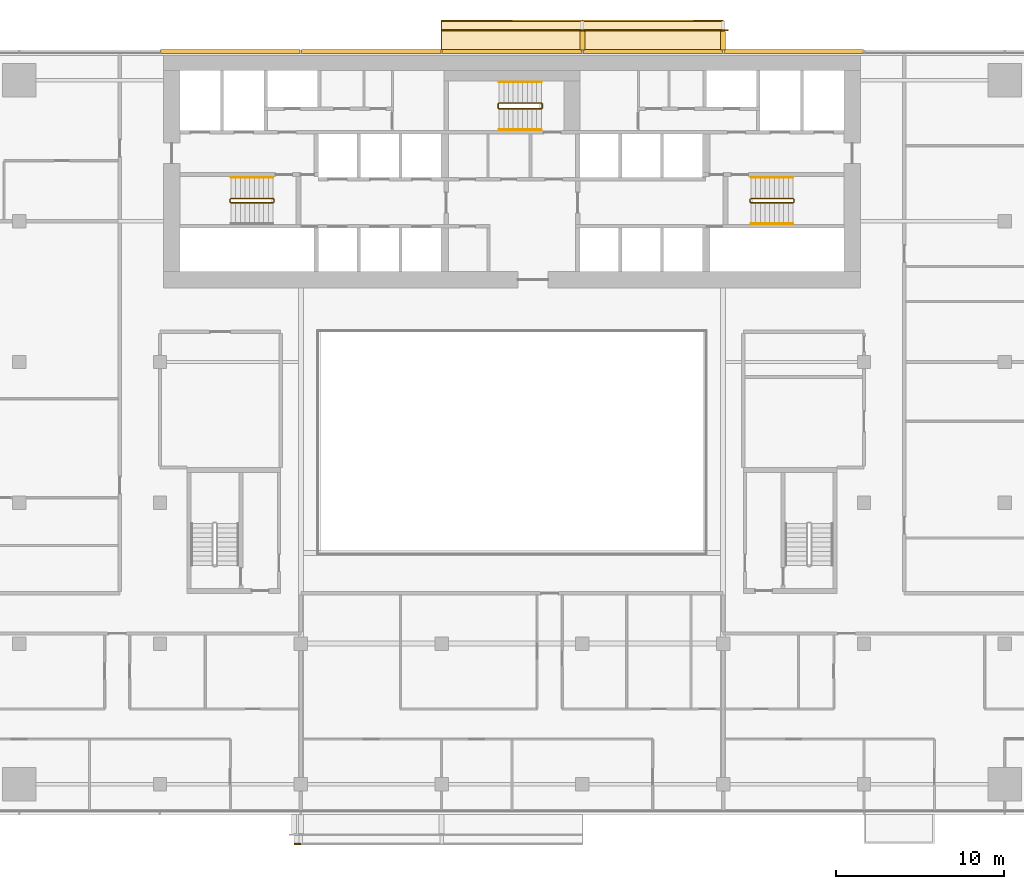
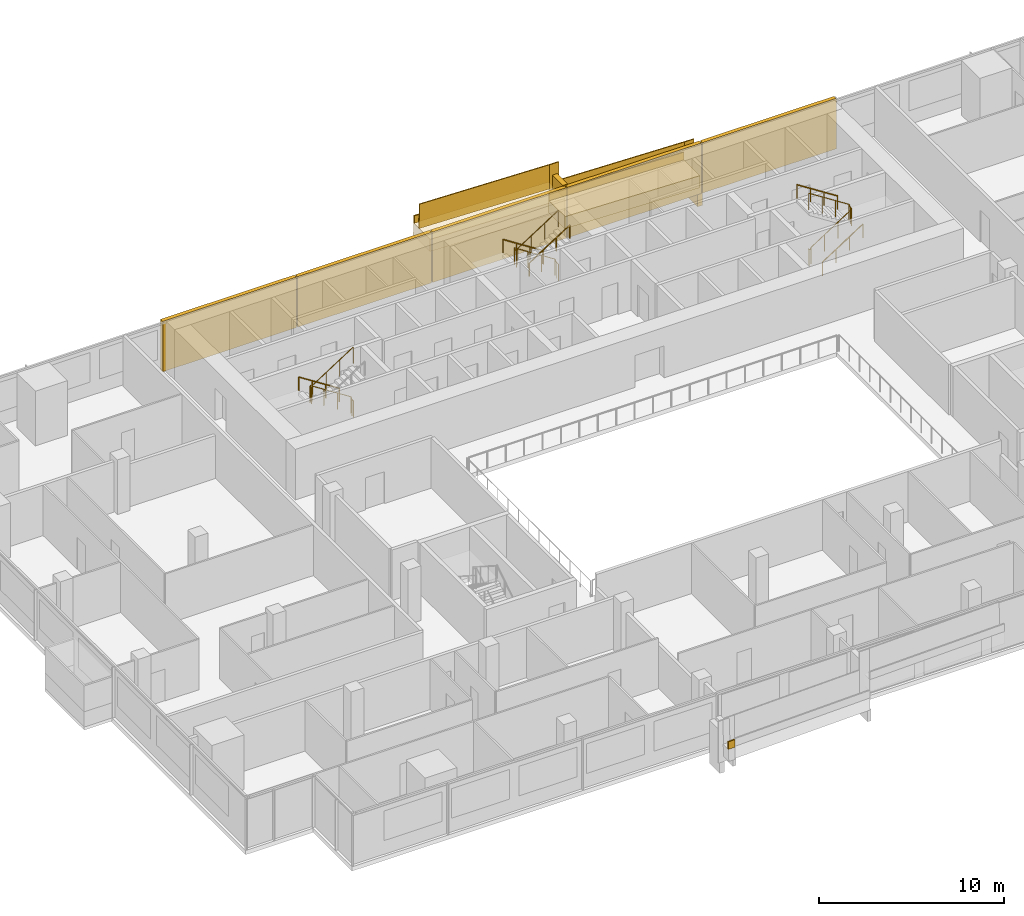
# One storey, part 26 of 26: 12 coverings, 12 railings.
"""IFC4 building model written with IfcOpenShell, lengths in metres."""

from ifc_helpers import new_model, si_unit, direction, frame, origin, origin_2d, place, context, subcontext, project, spatial, polyline, rectangle, circle, outline, extrude, material, layer, layer_set, type_object, element, save


model = new_model("IFC4")

# Units and contexts
model_context = context("Model", 3, precision=1e-05, world=origin(), true_north=direction((0.0, 1.0)))
body_context = subcontext(model_context, "Body", "Model", "MODEL_VIEW")
ifc_project = project(units=[si_unit("LENGTHUNIT", "METRE"), si_unit("AREAUNIT", "SQUARE_METRE"), si_unit("VOLUMEUNIT", "CUBIC_METRE"), si_unit("PLANEANGLEUNIT", "RADIAN"), si_unit("MASSUNIT", "GRAM", prefix="KILO")], contexts=[model_context])

# Site, building, storey
site_placement = place(None, origin())
site = spatial("IfcSite", under=ifc_project, at=site_placement, CompositionType="ELEMENT")
building_placement = place(site_placement, origin())
building = spatial("IfcBuilding", under=site, at=building_placement, Name="Saffron Gate Tower", CompositionType="ELEMENT")
storey_placement = place(building_placement, frame((0.0, 0.0, 120.449951171875)))
storey = spatial("IfcBuildingStorey", under=building, at=storey_placement, Name="L28", CompositionType="ELEMENT", Elevation=120.449951171875)

# Coverings
ifc_material_1 = material(Name="Ceramic-printed bronze insulated panel")
ifc_layer_1 = layer(ifc_material_1, 0.239990234375)
ifc_layer_set_1 = layer_set([ifc_layer_1], Name="CLD2 ceramic-printed cladding panel 240")
covering_type_1 = type_object("IfcCoveringType", Name="CLD2 ceramic-printed cladding panel 240", PredefinedType="CLADDING", material=ifc_layer_set_1)
covering_1_placement = place(storey_placement, origin())
element("IfcCovering", 1, at=covering_1_placement, inside=storey, type_object=covering_type_1, Name="CLADDING ceramic-printed panel", PredefinedType="CLADDING", context=body_context, shape_type="SweptSolid", body=[
    extrude(outline(polyline([(108.56494140625, 75.639892578125), (100.235107421875, 75.639892578125), (100.235107421875, 75.39990234375), (108.56494140625, 75.39990234375), (108.56494140625, 75.639892578125)])), origin(), (0.0, 0.0, 1.0), 3.320068359375),
])
covering_2_placement = place(storey_placement, origin())
element("IfcCovering", 2, at=covering_2_placement, inside=storey, type_object=covering_type_1, Name="CLADDING ceramic-printed panel", PredefinedType="CLADDING", context=body_context, shape_type="SweptSolid", body=[
    extrude(outline(polyline([(100.1650390625, 75.639892578125), (91.8349609375, 75.639892578125), (91.8349609375, 75.39990234375), (100.1650390625, 75.39990234375), (100.1650390625, 75.639892578125)])), origin(), (0.0, 0.0, 1.0), 3.320068359375),
])
covering_3_placement = place(storey_placement, origin())
element("IfcCovering", 3, at=covering_3_placement, inside=storey, type_object=covering_type_1, Name="CLADDING ceramic-printed panel", PredefinedType="CLADDING", context=body_context, shape_type="SweptSolid", body=[
    extrude(outline(polyline([(91.764892578125, 75.639892578125), (83.43505859375, 75.639892578125), (83.43505859375, 75.39990234375), (91.764892578125, 75.39990234375), (91.764892578125, 75.639892578125)])), origin(), (0.0, 0.0, 1.0), 3.320068359375),
])
covering_4_placement = place(storey_placement, origin())
element("IfcCovering", 4, at=covering_4_placement, inside=storey, type_object=covering_type_1, Name="CLADDING ceramic-printed panel", PredefinedType="CLADDING", context=body_context, shape_type="SweptSolid", body=[
    extrude(outline(polyline([(83.364990234375, 75.639892578125), (75.034912109375, 75.639892578125), (75.034912109375, 75.39990234375), (83.364990234375, 75.39990234375), (83.364990234375, 75.639892578125)])), origin(), (0.0, 0.0, 1.0), 3.320068359375),
])
covering_5_placement = place(storey_placement, origin())
element("IfcCovering", 5, at=covering_5_placement, inside=storey, type_object=covering_type_1, Name="CLADDING ceramic-printed panel", PredefinedType="CLADDING", context=body_context, shape_type="SweptSolid", body=[
    extrude(outline(polyline([(74.965087890625, 75.639892578125), (66.635009765625, 75.639892578125), (66.635009765625, 75.39990234375), (74.965087890625, 75.39990234375), (74.965087890625, 75.639892578125)])), origin(), (0.0, 0.0, 1.0), 3.320068359375),
])

# Railings
ifc_material_2 = material(Name="Stainless steel and laminated glass", Category="steel")
railing_type_1 = type_object("IfcRailingType", Name="CR1 Stair guard 1100", PredefinedType="GUARDRAIL", material=ifc_material_2)
railing_1_placement = place(storey_placement, frame((73.39990234375, 66.550048828125, 0.0)))
element("IfcRailing", 6, at=railing_1_placement, inside=storey, type_object=railing_type_1, Name="L28 ST-A stair guard 1", PredefinedType="GUARDRAIL", context=body_context, shape_type="SweptSolid", body=[
    extrude(circle(Radius=0.02392578125, at=origin_2d()), frame((0.0, 0.0, 1.076171875), z_axis=(0.0, 1.0, 0.0), x_axis=(-1.0, 0.0, 0.0)), (0.0, 0.0, 1.0), 0.14990234375),
    extrude(circle(Radius=0.02392578125, at=origin_2d()), frame((0.0, 0.14990234375, 1.076171875), z_axis=(-0.257669022063, 0.258932105505, 0.930892496375), x_axis=(-0.708833529934, -0.705375805398, 0.0)), (0.0, 0.0, 1.0), 0.193359375),
    extrude(circle(Radius=0.02392578125, at=origin_2d()), frame((-0.0498046875, 0.199951171875, 1.255859375), z_axis=(-0.841162588446, 0.0, 0.540782303519), x_axis=(0.0, -1.0, 0.0)), (0.0, 0.0, 1.0), 2.995849609375),
    extrude(circle(Radius=0.02392578125, at=origin_2d()), frame((-2.56982421875, 0.199951171875, 2.8759765625), z_axis=(-0.707106781187, -0.707106781187, 0.0), x_axis=(0.707106781187, -0.707106781187, 0.0)), (0.0, 0.0, 1.0), 0.07080078125),
    extrude(circle(Radius=0.02392578125, at=origin_2d()), frame((-2.619873046875, 0.14990234375, 2.8759765625), z_axis=(0.0, -1.0, 0.0), x_axis=(1.0, 0.0, 0.0)), (0.0, 0.0, 1.0), 0.14990234375),
    extrude(circle(Radius=0.02392578125, at=origin_2d()), frame((-2.619873046875, 0.0, 2.8759765625), z_axis=(0.258847668887, -0.258847668887, 0.930588936439), x_axis=(0.707106781187, 0.707106781187, 0.0)), (0.0, 0.0, 1.0), 0.193359375),
    extrude(circle(Radius=0.02392578125, at=origin_2d()), frame((-2.56982421875, -0.050048828125, 3.05615234375), z_axis=(0.841162588446, 0.0, 0.540782303519), x_axis=(0.0, 1.0, 0.0)), (0.0, 0.0, 1.0), 2.995849609375),
    extrude(circle(Radius=0.02099609375, at=origin_2d()), origin(), (0.0, 0.0, 1.0), 1.052001953125),
    extrude(circle(Radius=0.02099609375, at=origin_2d()), frame((0.0, 0.14990234375, 0.0)), (0.0, 0.0, 1.0), 1.052001953125),
    extrude(circle(Radius=0.02099609375, at=origin_2d()), frame((-0.0498046875, 0.199951171875, 0.179931640625)), (0.0, 0.0, 1.0), 1.052001953125),
    extrude(circle(Radius=0.02099609375, at=origin_2d()), frame((-0.889892578125, 0.199951171875, 0.719970703125)), (0.0, 0.0, 1.0), 1.052001953125),
    extrude(circle(Radius=0.02099609375, at=origin_2d()), frame((-1.729736328125, 0.199951171875, 1.260009765625)), (0.0, 0.0, 1.0), 1.052001953125),
    extrude(circle(Radius=0.02099609375, at=origin_2d()), frame((-2.56982421875, 0.199951171875, 1.800048828125)), (0.0, 0.0, 1.0), 1.052001953125),
    extrude(circle(Radius=0.02099609375, at=origin_2d()), frame((-2.619873046875, 0.14990234375, 1.800048828125)), (0.0, 0.0, 1.0), 1.052001953125),
    extrude(circle(Radius=0.02099609375, at=origin_2d()), frame((-2.619873046875, 0.0, 1.800048828125)), (0.0, 0.0, 1.0), 1.052001953125),
    extrude(circle(Radius=0.02099609375, at=origin_2d()), frame((-2.56982421875, -0.050048828125, 1.97998046875)), (0.0, 0.0, 1.0), 1.052001953125),
    extrude(circle(Radius=0.02099609375, at=origin_2d()), frame((-1.729736328125, -0.050048828125, 2.52001953125)), (0.0, 0.0, 1.0), 1.052001953125),
    extrude(circle(Radius=0.02099609375, at=origin_2d()), frame((-0.889892578125, -0.050048828125, 3.06005859375)), (0.0, 0.0, 1.0), 1.052001953125),
    extrude(circle(Radius=0.02099609375, at=origin_2d()), frame((-0.0498046875, -0.050048828125, 3.60009765625)), (0.0, 0.0, 1.0), 1.052001953125),
])
railing_2_placement = place(storey_placement, frame((101.800048828125, 66.699951171875, 0.0)))
element("IfcRailing", 7, at=railing_2_placement, inside=storey, type_object=railing_type_1, Name="L28 ST-B stair guard 1", PredefinedType="GUARDRAIL", context=body_context, shape_type="SweptSolid", body=[
    extrude(circle(Radius=0.02392578125, at=origin_2d()), frame((0.0, 0.0, 1.076171875), z_axis=(0.0, -1.0, 0.0), x_axis=(1.0, 0.0, 0.0)), (0.0, 0.0, 1.0), 0.14990234375),
    extrude(circle(Radius=0.02392578125, at=origin_2d()), frame((0.0, -0.14990234375, 1.076171875), z_axis=(0.258847668887, -0.258847668887, 0.930588936439), x_axis=(0.707106781187, 0.707106781187, 0.0)), (0.0, 0.0, 1.0), 0.193359375),
    extrude(circle(Radius=0.02392578125, at=origin_2d()), frame((0.050048828125, -0.199951171875, 1.255859375), z_axis=(0.841162588446, 0.0, 0.540782303519), x_axis=(0.0, 1.0, 0.0)), (0.0, 0.0, 1.0), 2.995849609375),
    extrude(circle(Radius=0.02392578125, at=origin_2d()), frame((2.570068359375, -0.199951171875, 2.8759765625), z_axis=(0.705375805398, 0.708833529934, 0.0), x_axis=(-0.708833529934, 0.705375805398, 0.0)), (0.0, 0.0, 1.0), 0.070556640625),
    extrude(circle(Radius=0.02392578125, at=origin_2d()), frame((2.619873046875, -0.14990234375, 2.8759765625), z_axis=(0.0, 1.0, 0.0), x_axis=(-1.0, 0.0, 0.0)), (0.0, 0.0, 1.0), 0.14990234375),
    extrude(circle(Radius=0.02392578125, at=origin_2d()), frame((2.619873046875, 0.0, 2.8759765625), z_axis=(-0.257669022063, 0.258932105505, 0.930892496375), x_axis=(-0.708833529934, -0.705375805398, 0.0)), (0.0, 0.0, 1.0), 0.193359375),
    extrude(circle(Radius=0.02392578125, at=origin_2d()), frame((2.570068359375, 0.050048828125, 3.05615234375), z_axis=(-0.841162588446, 0.0, 0.540782303519), x_axis=(0.0, -1.0, 0.0)), (0.0, 0.0, 1.0), 2.995849609375),
    extrude(circle(Radius=0.02099609375, at=origin_2d()), origin(), (0.0, 0.0, 1.0), 1.052001953125),
    extrude(circle(Radius=0.02099609375, at=origin_2d()), frame((0.0, -0.14990234375, 0.0)), (0.0, 0.0, 1.0), 1.052001953125),
    extrude(circle(Radius=0.02099609375, at=origin_2d()), frame((0.050048828125, -0.199951171875, 0.179931640625)), (0.0, 0.0, 1.0), 1.052001953125),
    extrude(circle(Radius=0.02099609375, at=origin_2d()), frame((0.89013671875, -0.199951171875, 0.719970703125)), (0.0, 0.0, 1.0), 1.052001953125),
    extrude(circle(Radius=0.02099609375, at=origin_2d()), frame((1.72998046875, -0.199951171875, 1.260009765625)), (0.0, 0.0, 1.0), 1.052001953125),
    extrude(circle(Radius=0.02099609375, at=origin_2d()), frame((2.570068359375, -0.199951171875, 1.800048828125)), (0.0, 0.0, 1.0), 1.052001953125),
    extrude(circle(Radius=0.02099609375, at=origin_2d()), frame((2.619873046875, -0.14990234375, 1.800048828125)), (0.0, 0.0, 1.0), 1.052001953125),
    extrude(circle(Radius=0.02099609375, at=origin_2d()), frame((2.619873046875, 0.0, 1.800048828125)), (0.0, 0.0, 1.0), 1.052001953125),
    extrude(circle(Radius=0.02099609375, at=origin_2d()), frame((2.570068359375, 0.050048828125, 1.97998046875)), (0.0, 0.0, 1.0), 1.052001953125),
    extrude(circle(Radius=0.02099609375, at=origin_2d()), frame((1.72998046875, 0.050048828125, 2.52001953125)), (0.0, 0.0, 1.0), 1.052001953125),
    extrude(circle(Radius=0.02099609375, at=origin_2d()), frame((0.89013671875, 0.050048828125, 3.06005859375)), (0.0, 0.0, 1.0), 1.052001953125),
    extrude(circle(Radius=0.02099609375, at=origin_2d()), frame((0.050048828125, 0.050048828125, 3.60009765625)), (0.0, 0.0, 1.0), 1.052001953125),
])
railing_3_placement = place(storey_placement, frame((89.39990234375, 72.14990234375, 0.0)))
element("IfcRailing", 8, at=railing_3_placement, inside=storey, type_object=railing_type_1, Name="L28 ST-C stair guard 1", PredefinedType="GUARDRAIL", context=body_context, shape_type="SweptSolid", body=[
    extrude(circle(Radius=0.02392578125, at=origin_2d()), frame((0.0, 0.0, 1.076171875), z_axis=(0.0, 1.0, 0.0), x_axis=(-1.0, 0.0, 0.0)), (0.0, 0.0, 1.0), 0.25),
    extrude(circle(Radius=0.02392578125, at=origin_2d()), frame((0.0, 0.25, 1.076171875), z_axis=(-0.257669022063, 0.258932105505, 0.930892496375), x_axis=(-0.708833529934, -0.705375805398, 0.0)), (0.0, 0.0, 1.0), 0.193359375),
    extrude(circle(Radius=0.02392578125, at=origin_2d()), frame((-0.0498046875, 0.300048828125, 1.255859375), z_axis=(-0.841162588446, 0.0, 0.540782303519), x_axis=(0.0, -1.0, 0.0)), (0.0, 0.0, 1.0), 2.995849609375),
    extrude(circle(Radius=0.02392578125, at=origin_2d()), frame((-2.56982421875, 0.300048828125, 2.8759765625), z_axis=(-0.707106781187, -0.707106781187, 0.0), x_axis=(0.707106781187, -0.707106781187, 0.0)), (0.0, 0.0, 1.0), 0.07080078125),
    extrude(circle(Radius=0.02392578125, at=origin_2d()), frame((-2.619873046875, 0.25, 2.8759765625), z_axis=(0.0, -1.0, 0.0), x_axis=(1.0, 0.0, 0.0)), (0.0, 0.0, 1.0), 0.25),
    extrude(circle(Radius=0.02392578125, at=origin_2d()), frame((-2.619873046875, 0.0, 2.8759765625), z_axis=(0.258932105505, -0.257669022063, 0.930892496375), x_axis=(0.705375805398, 0.708833529934, 0.0)), (0.0, 0.0, 1.0), 0.193359375),
    extrude(circle(Radius=0.02392578125, at=origin_2d()), frame((-2.56982421875, -0.0498046875, 3.05615234375), z_axis=(0.841162588446, 0.0, 0.540782303519), x_axis=(0.0, 1.0, 0.0)), (0.0, 0.0, 1.0), 2.995849609375),
    extrude(circle(Radius=0.02099609375, at=origin_2d()), origin(), (0.0, 0.0, 1.0), 1.052001953125),
    extrude(circle(Radius=0.02099609375, at=origin_2d()), frame((0.0, 0.25, 0.0)), (0.0, 0.0, 1.0), 1.052001953125),
    extrude(circle(Radius=0.02099609375, at=origin_2d()), frame((-0.0498046875, 0.300048828125, 0.179931640625)), (0.0, 0.0, 1.0), 1.052001953125),
    extrude(circle(Radius=0.02099609375, at=origin_2d()), frame((-0.889892578125, 0.300048828125, 0.719970703125)), (0.0, 0.0, 1.0), 1.052001953125),
    extrude(circle(Radius=0.02099609375, at=origin_2d()), frame((-1.729736328125, 0.300048828125, 1.260009765625)), (0.0, 0.0, 1.0), 1.052001953125),
    extrude(circle(Radius=0.02099609375, at=origin_2d()), frame((-2.56982421875, 0.300048828125, 1.800048828125)), (0.0, 0.0, 1.0), 1.052001953125),
    extrude(circle(Radius=0.02099609375, at=origin_2d()), frame((-2.619873046875, 0.25, 1.800048828125)), (0.0, 0.0, 1.0), 1.052001953125),
    extrude(circle(Radius=0.02099609375, at=origin_2d()), frame((-2.619873046875, 0.0, 1.800048828125)), (0.0, 0.0, 1.0), 1.052001953125),
    extrude(circle(Radius=0.02099609375, at=origin_2d()), frame((-2.56982421875, -0.0498046875, 1.97998046875)), (0.0, 0.0, 1.0), 1.052001953125),
    extrude(circle(Radius=0.02099609375, at=origin_2d()), frame((-1.729736328125, -0.0498046875, 2.52001953125)), (0.0, 0.0, 1.0), 1.052001953125),
    extrude(circle(Radius=0.02099609375, at=origin_2d()), frame((-0.889892578125, -0.0498046875, 3.06005859375)), (0.0, 0.0, 1.0), 1.052001953125),
    extrude(circle(Radius=0.02099609375, at=origin_2d()), frame((-0.0498046875, -0.0498046875, 3.60009765625)), (0.0, 0.0, 1.0), 1.052001953125),
])
ifc_material_3 = material(Name="Stainless steel", Category="steel")
railing_type_2 = type_object("IfcRailingType", Name="CR2 Stair handrail 900", PredefinedType="HANDRAIL", material=ifc_material_3)
railing_4_placement = place(storey_placement, frame((73.35009765625, 68.0, 0.179931640625)))
element("IfcRailing", 9, at=railing_4_placement, inside=storey, type_object=railing_type_2, Name="L28 ST-A stair handrail 1", PredefinedType="HANDRAIL", context=body_context, shape_type="SweptSolid", body=[
    extrude(circle(Radius=0.02392578125, at=origin_2d()), frame((0.0, 0.0, 0.8759765625), z_axis=(-0.841162588446, 0.0, 0.540782303519), x_axis=(0.0, -1.0, 0.0)), (0.0, 0.0, 1.0), 2.995849609375),
    extrude(circle(Radius=0.02099609375, at=origin_2d()), origin(), (0.0, 0.0, 1.0), 0.851806640625),
    extrude(circle(Radius=0.02099609375, at=origin_2d()), frame((-0.840087890625, 0.0, 0.5400390625)), (0.0, 0.0, 1.0), 0.851806640625),
    extrude(circle(Radius=0.02099609375, at=origin_2d()), frame((-1.679931640625, 0.0, 1.080078125)), (0.0, 0.0, 1.0), 0.851806640625),
    extrude(circle(Radius=0.02099609375, at=origin_2d()), frame((-2.52001953125, 0.0, 1.6201171875)), (0.0, 0.0, 1.0), 0.851806640625),
])
railing_5_placement = place(storey_placement, frame((101.85009765625, 65.25, 0.179931640625)))
element("IfcRailing", 10, at=railing_5_placement, inside=storey, type_object=railing_type_2, Name="L28 ST-B stair handrail 1", PredefinedType="HANDRAIL", context=body_context, shape_type="SweptSolid", body=[
    extrude(circle(Radius=0.02392578125, at=origin_2d()), frame((0.0, 0.0, 0.8759765625), z_axis=(0.841162588446, 0.0, 0.540782303519), x_axis=(0.0, 1.0, 0.0)), (0.0, 0.0, 1.0), 2.995849609375),
    extrude(circle(Radius=0.02099609375, at=origin_2d()), origin(), (0.0, 0.0, 1.0), 0.851806640625),
    extrude(circle(Radius=0.02099609375, at=origin_2d()), frame((0.840087890625, 0.0, 0.5400390625)), (0.0, 0.0, 1.0), 0.851806640625),
    extrude(circle(Radius=0.02099609375, at=origin_2d()), frame((1.679931640625, 0.0, 1.080078125)), (0.0, 0.0, 1.0), 0.851806640625),
    extrude(circle(Radius=0.02099609375, at=origin_2d()), frame((2.52001953125, 0.0, 1.6201171875)), (0.0, 0.0, 1.0), 0.851806640625),
])
for number, where, name in (
    (11, (104.3701171875, 68.0, 1.97998046875), "L28 ST-B stair handrail 2"),
    (12, (89.35009765625, 73.699951171875, 0.179931640625), "L28 ST-C stair handrail 1"),
):
    element("IfcRailing", number, at=place(storey_placement, frame(where)), inside=storey, type_object=railing_type_2, Name=name, PredefinedType="HANDRAIL", context=body_context, shape_type="SweptSolid", body=[
        extrude(circle(Radius=0.02392578125, at=origin_2d()), frame((0.0, 0.0, 0.8759765625), z_axis=(-0.841162588446, 0.0, 0.540782303519), x_axis=(0.0, -1.0, 0.0)), (0.0, 0.0, 1.0), 2.995849609375),
        extrude(circle(Radius=0.02099609375, at=origin_2d()), origin(), (0.0, 0.0, 1.0), 0.851806640625),
        extrude(circle(Radius=0.02099609375, at=origin_2d()), frame((-0.840087890625, 0.0, 0.5400390625)), (0.0, 0.0, 1.0), 0.851806640625),
        extrude(circle(Radius=0.02099609375, at=origin_2d()), frame((-1.679931640625, 0.0, 1.080078125)), (0.0, 0.0, 1.0), 0.851806640625),
        extrude(circle(Radius=0.02099609375, at=origin_2d()), frame((-2.52001953125, 0.0, 1.6201171875)), (0.0, 0.0, 1.0), 0.851806640625),
    ])
railing_6_placement = place(storey_placement, frame((86.830078125, 70.85009765625, 1.97998046875)))
element("IfcRailing", 13, at=railing_6_placement, inside=storey, type_object=railing_type_2, Name="L28 ST-C stair handrail 2", PredefinedType="HANDRAIL", context=body_context, shape_type="SweptSolid", body=[
    extrude(circle(Radius=0.02392578125, at=origin_2d()), frame((0.0, 0.0, 0.8759765625), z_axis=(0.841162588446, 0.0, 0.540782303519), x_axis=(0.0, 1.0, 0.0)), (0.0, 0.0, 1.0), 2.995849609375),
    extrude(circle(Radius=0.02099609375, at=origin_2d()), origin(), (0.0, 0.0, 1.0), 0.851806640625),
    extrude(circle(Radius=0.02099609375, at=origin_2d()), frame((0.840087890625, 0.0, 0.5400390625)), (0.0, 0.0, 1.0), 0.851806640625),
    extrude(circle(Radius=0.02099609375, at=origin_2d()), frame((1.679931640625, 0.0, 1.080078125)), (0.0, 0.0, 1.0), 0.851806640625),
    extrude(circle(Radius=0.02099609375, at=origin_2d()), frame((2.52001953125, 0.0, 1.6201171875)), (0.0, 0.0, 1.0), 0.851806640625),
])

# Coverings
ifc_material_4 = material(Name="Timber, thermally modified ash", Category="wood")
ifc_layer_2 = layer(ifc_material_4, 0.800048828125)
ifc_layer_set_2 = layer_set([ifc_layer_2], Name="LD1 ledge timber")
covering_type_2 = type_object("IfcCoveringType", Name="LD1 ledge timber", PredefinedType="CLADDING", material=ifc_layer_set_2)
covering_6_placement = place(storey_placement, frame((100.199951171875, 75.60009765625, 1.0439453125), z_axis=(0.028791175352, 0.0, 0.999585448184), x_axis=(-0.999585448184, 0.0, 0.028791175352)))
element("IfcCovering", 14, at=covering_6_placement, inside=storey, type_object=covering_type_2, Name="LEDGE", PredefinedType="CLADDING", context=body_context, shape_type="SweptSolid", body=[
    extrude(outline(polyline([(0.0, 0.0), (8.403385982666892, 0.0), (8.403385982666892, -1.7998046875), (0.0, -1.7998046875), (0.0, 0.0)])), origin(), (0.0, 0.0, -1.0), 0.800048828125),
])
covering_7_placement = place(storey_placement, frame((91.800048828125, 75.60009765625, 2.486328125), z_axis=(0.028790339263, 0.0, 0.999585472266), x_axis=(-0.999585472266, 0.0, 0.028790339263)))
element("IfcCovering", 15, at=covering_7_placement, inside=storey, type_object=covering_type_2, Name="LEDGE", PredefinedType="CLADDING", context=body_context, shape_type="SweptSolid", body=[
    extrude(outline(polyline([(0.0, 0.0), (8.403630022085892, 0.0), (8.403630022085892, -1.7998046875), (0.0, -1.7998046875), (0.0, 0.0)])), origin(), (0.0, 0.0, -1.0), 0.800048828125),
])
ifc_layer_3 = layer(ifc_material_4, 0.080078125)
ifc_layer_set_3 = layer_set([ifc_layer_3], Name="LD2 ledge planter trough")
covering_type_3 = type_object("IfcCoveringType", Name="LD2 ledge planter trough", PredefinedType="CLADDING", material=ifc_layer_set_3)
covering_8_placement = place(storey_placement, frame((100.199951171875, 77.39990234375, 1.0439453125), z_axis=(0.0, 1.0, 0.0), x_axis=(-0.999585448184, 0.0, 0.028791175352)))
element("IfcCovering", 16, at=covering_8_placement, inside=storey, type_object=covering_type_3, Name="LEDGE planter trough", PredefinedType="CLADDING", context=body_context, shape_type="SweptSolid", body=[
    extrude(outline(polyline([(0.0, 0.0), (8.403385982666892, 0.0), (8.417781570342743, 0.49979272409216496), (0.014395587675851172, 0.4997927240921649), (0.0, 0.0)])), origin(), (0.0, 0.0, -1.0), 0.080078125),
])
covering_9_placement = place(storey_placement, frame((91.800048828125, 77.39990234375, 2.486328125), z_axis=(0.0, 1.0, 0.0), x_axis=(-0.999585472266, 0.0, 0.028790339263)))
element("IfcCovering", 17, at=covering_9_placement, inside=storey, type_object=covering_type_3, Name="LEDGE planter trough", PredefinedType="CLADDING", context=body_context, shape_type="SweptSolid", body=[
    extrude(outline(polyline([(0.0, 0.0), (8.403630022085892, 0.0), (8.418025191717298, 0.4997927361329725), (0.014395169631405694, 0.4997927361329725), (0.0, 0.0)])), origin(), (0.0, 0.0, -1.0), 0.080078125),
])
covering_10_placement = place(storey_placement, frame((74.60009765625, 28.199951171875, 0.975341796875), z_axis=(0.0, -1.0, 0.0), x_axis=(0.999588594726, 0.0, 0.028681724025)))
element("IfcCovering", 18, at=covering_10_placement, inside=storey, type_object=covering_type_3, Name="LEDGE planter trough", PredefinedType="CLADDING", context=body_context, shape_type="SweptSolid", body=[
    extrude(outline(polyline([(0.0, 0.0), (0.40006693339621563, 0.0), (0.4144077954084678, 0.4997942973631708), (0.014340862012252152, 0.49979429736317077), (0.0, 0.0)])), origin(), (0.0, 0.0, -1.0), 0.080078125),
])
ifc_layer_4 = layer(ifc_material_4, 0.300048828125)
ifc_layer_set_4 = layer_set([ifc_layer_4], Name="LD3 ledge riser fin")
covering_type_4 = type_object("IfcCoveringType", Name="LD3 ledge riser fin", PredefinedType="CLADDING", material=ifc_layer_set_4)
for number, where, z_axis, x_axis, name in (
    (19, (100.199951171875, 76.159912109375, -0.956298828125), (0.0, 0.0, 1.0), (-1.0, 0.0, 0.0), "LEDGE riser fin"),
    (20, (91.800048828125, 76.159912109375, 0.48583984375), (0.0, 0.0, 1.0), (-1.0, 0.0, 0.0), "LEDGE riser fin"),
):
    element("IfcCovering", number, at=place(storey_placement, frame(where, z_axis=z_axis, x_axis=x_axis)), inside=storey, type_object=covering_type_4, Name=name, PredefinedType="CLADDING", context=body_context, shape_type="SweptSolid", body=[
        extrude(rectangle(XDim=0.300048828125, YDim=1.1201171875, at=origin_2d()), origin(), (0.0, 0.0, 1.0), 2.900390625),
    ])

# Railings
railing_type_3 = type_object("IfcRailingType", Name="LG1 ledge balustrade", PredefinedType="BALUSTRADE", material=ifc_material_4)
railing_7_placement = place(storey_placement, frame((100.199951171875, 76.800048828125, 1.0439453125)))
element("IfcRailing", 21, at=railing_7_placement, inside=storey, type_object=railing_type_3, Name="LEDGE BALUSTRADE", PredefinedType="BALUSTRADE", context=body_context, shape_type="SweptSolid", body=[
    extrude(rectangle(XDim=0.06005859375, YDim=1.60009765625, at=origin_2d()), frame((0.0, 0.0, 0.800048828125), z_axis=(-0.999585448184, 0.0, 0.028791175352), x_axis=(0.0, -1.0, 0.0)), (0.0, 0.0, 1.0), 8.4033203125),
])
railing_8_placement = place(storey_placement, frame((100.5, 76.800048828125, -0.156494140625)))
element("IfcRailing", 22, at=railing_8_placement, inside=storey, type_object=railing_type_3, Name="LEDGE BALUSTRADE", PredefinedType="BALUSTRADE", context=body_context, shape_type="SweptSolid", body=[
    extrude(rectangle(XDim=0.06005859375, YDim=2.80029296875, at=origin_2d()), frame((0.0, 0.0, 1.400146484375), z_axis=(-1.0, 0.0, 0.0), x_axis=(0.0, -1.0, 0.0)), (0.0, 0.0, 1.0), 0.60009765625),
])
railing_9_placement = place(storey_placement, frame((91.800048828125, 76.800048828125, 2.486328125)))
element("IfcRailing", 23, at=railing_9_placement, inside=storey, type_object=railing_type_3, Name="LEDGE BALUSTRADE", PredefinedType="BALUSTRADE", context=body_context, shape_type="SweptSolid", body=[
    extrude(rectangle(XDim=0.06005859375, YDim=1.60009765625, at=origin_2d()), frame((0.0, 0.0, 0.800048828125), z_axis=(-0.999585472266, 0.0, 0.028790339263), x_axis=(0.0, -1.0, 0.0)), (0.0, 0.0, 1.0), 8.403564453125),
])
railing_10_placement = place(storey_placement, frame((92.10009765625, 76.800048828125, 1.285888671875)))
element("IfcRailing", 24, at=railing_10_placement, inside=storey, type_object=railing_type_3, Name="LEDGE BALUSTRADE", PredefinedType="BALUSTRADE", context=body_context, shape_type="SweptSolid", body=[
    extrude(rectangle(XDim=0.06005859375, YDim=2.80029296875, at=origin_2d()), frame((0.0, 0.0, 1.400146484375), z_axis=(-1.0, 0.0, 0.0), x_axis=(0.0, -1.0, 0.0)), (0.0, 0.0, 1.0), 0.60009765625),
])

save(model, "model.ifc")
